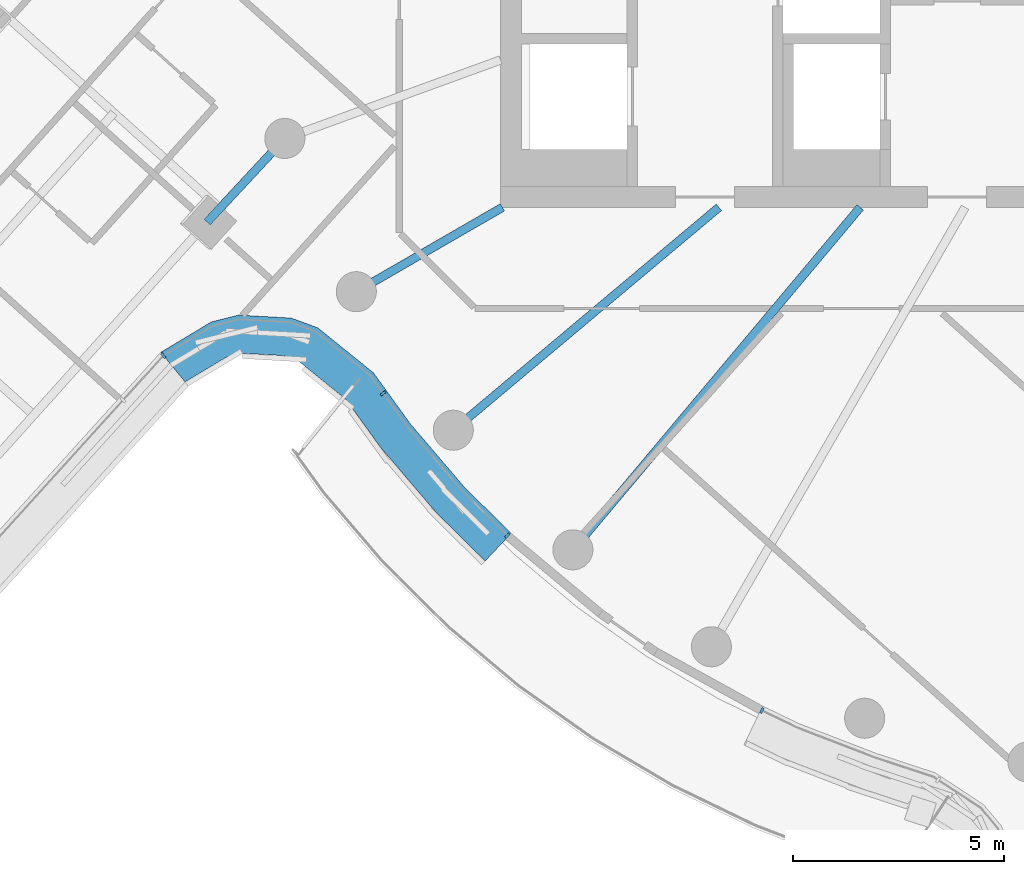
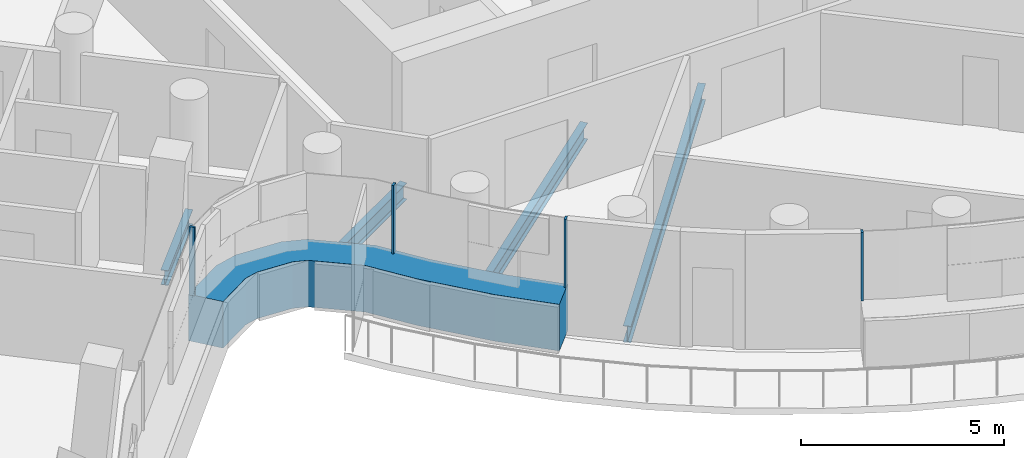
# One storey, part 3 of 31: 5 members, 4 beams, 1 element without a shape of its own.
"""IFC4 building model written with IfcOpenShell, lengths in metres."""

from ifc_helpers import new_model, si_unit, direction, frame, origin, origin_2d, place, context, subcontext, project, spatial, polyline, rectangle, i_section, outline, extrude, material, layer, layer_set, material_profile, profile_set, type_object, element, aggregate, save


model = new_model("IFC4")

# Units and contexts
model_context = context("Model", 3, precision=1e-05, world=origin(), true_north=direction((0.0, 1.0)))
body_context = subcontext(model_context, "Body", "Model", "MODEL_VIEW")
ifc_project = project(units=[si_unit("LENGTHUNIT", "METRE"), si_unit("AREAUNIT", "SQUARE_METRE"), si_unit("VOLUMEUNIT", "CUBIC_METRE"), si_unit("PLANEANGLEUNIT", "RADIAN"), si_unit("MASSUNIT", "GRAM", prefix="KILO")], contexts=[model_context])

# Site, building, storey
site_placement = place(None, origin())
site = spatial("IfcSite", under=ifc_project, at=site_placement, CompositionType="ELEMENT")
building_placement = place(site_placement, origin())
building = spatial("IfcBuilding", under=site, at=building_placement, Name="Tamarind Cross Interchange Tower", CompositionType="ELEMENT")
storey_placement = place(building_placement, frame((0.0, 0.0, 207.699951171875)))
storey = spatial("IfcBuildingStorey", under=building, at=storey_placement, Name="L52", CompositionType="ELEMENT", Elevation=207.699951171875)

# Beams
ifc_material_1 = material(Name="Steel Q355B", Category="steel")
ifc_material_profile_1 = material_profile(ifc_material_1, i_section(OverallWidth=0.198974609375, OverallDepth=0.446044921875, WebThickness=0.008056640625, FlangeThickness=0.011962890625, FilletRadius=0.012939453125, at=origin_2d()), Name="HN 446x199x8x12")
ifc_profile_set_1 = profile_set([ifc_material_profile_1], Name="Steel Q355B")
beam_type_1 = type_object("IfcBeamType", Name="Composite beam HN 446x199x8x12 Q355B", PredefinedType="BEAM", material=ifc_profile_set_1)
beam_1_placement = place(storey_placement, frame((-23.4560546875, -9.849853515625, -0.363037109375), z_axis=(0.680706997579, 0.732555788625, 0.0), x_axis=(-0.732555788625, 0.680706997579, 0.0)))
element("IfcBeam", 1, at=beam_1_placement, inside=storey, type_object=beam_type_1, Name="Beam W-linkep", PredefinedType="BEAM", context=body_context, shape_type="SweptSolid", body=[
    extrude(i_section(OverallWidth=0.198974609375, OverallDepth=0.446044921875, WebThickness=0.008056640625, FlangeThickness=0.011962890625, FilletRadius=0.012939453125, at=origin_2d()), origin(), (0.0, 0.0, 1.0), 2.70751953125),
])
ifc_material_profile_2 = material_profile(ifc_material_1, i_section(OverallWidth=0.198974609375, OverallDepth=0.49609375, WebThickness=0.009033203125, FlangeThickness=0.013916015625, FilletRadius=0.012939453125, at=origin_2d()), Name="HN 496x199x9x14")
ifc_profile_set_2 = profile_set([ifc_material_profile_2], Name="Steel Q355B")
beam_type_2 = type_object("IfcBeamType", Name="Composite beam HN 496x199x9x14 Q355B", PredefinedType="BEAM", material=ifc_profile_set_2)
beam_2_placement = place(storey_placement, frame((-19.918701171875, -11.5, -0.387939453125), z_axis=(0.866026010844, 0.49999894854, 0.0), x_axis=(-0.49999894854, 0.866026010844, 0.0)))
element("IfcBeam", 2, at=beam_2_placement, inside=storey, type_object=beam_type_2, Name="Beam HH21", PredefinedType="BEAM", context=body_context, shape_type="SweptSolid", body=[
    extrude(i_section(OverallWidth=0.198974609375, OverallDepth=0.49609375, WebThickness=0.009033203125, FlangeThickness=0.013916015625, FilletRadius=0.012939453125, at=origin_2d()), origin(), (0.0, 0.0, 1.0), 4.0),
])
beam_3_placement = place(storey_placement, frame((-17.619140625, -14.7841796875, -0.387939453125), z_axis=(0.766040580814, 0.642792212574, 0.0), x_axis=(-0.642792212574, 0.766040580814, 0.0)))
element("IfcBeam", 3, at=beam_3_placement, inside=storey, type_object=beam_type_2, Name="Beam HH22", PredefinedType="BEAM", context=body_context, shape_type="SweptSolid", body=[
    extrude(i_section(OverallWidth=0.198974609375, OverallDepth=0.49609375, WebThickness=0.009033203125, FlangeThickness=0.013916015625, FilletRadius=0.012939453125, at=origin_2d()), origin(), (0.0, 0.0, 1.0), 8.220703125),
])
beam_4_placement = place(storey_placement, frame((-14.7841796875, -17.619140625, -0.387939453125), z_axis=(0.642786293979, 0.766045547127, 0.0), x_axis=(-0.766045547127, 0.642786293979, 0.0)))
element("IfcBeam", 4, at=beam_4_placement, inside=storey, type_object=beam_type_2, Name="Beam HH23", PredefinedType="BEAM", context=body_context, shape_type="SweptSolid", body=[
    extrude(i_section(OverallWidth=0.198974609375, OverallDepth=0.49609375, WebThickness=0.009033203125, FlangeThickness=0.013916015625, FilletRadius=0.012939453125, at=origin_2d()), origin(), (0.0, 0.0, 1.0), 10.598876953125),
])

# Curtain wall, members
ifc_material_2 = material(Name="Aluminium 6063-T6", Category="aluminium")
ifc_layer = layer(ifc_material_2, 0.139892578125)
ifc_layer_set = layer_set([ifc_layer], Name="Aluminium 6063-T6")
curtain_wall_type = type_object("IfcCurtainWallType", Name="Hotel curtain wall, 4.5 m bays", PredefinedType="NOTDEFINED", material=ifc_layer_set)
curtain_wall_placement = place(storey_placement, origin())
curtain_wall = element("IfcCurtainWall", 5, at=curtain_wall_placement, inside=storey, type_object=curtain_wall_type, Name="CWS-L52-02", PredefinedType="NOTDEFINED")
ifc_material_3 = material(Name="Aluminium and insulated spandrel panel", Category="aluminium")
member_type_1 = type_object("IfcMemberType", Name="Floor-edge blade transom", PredefinedType="USERDEFINED", material=ifc_material_3)
member_1_placement = place(storey_placement, origin())
member_1 = element("IfcMember", 6, at=member_1_placement, type_object=member_type_1, Name="CWT-L52-02-0", ObjectType="TRANSOM", PredefinedType="USERDEFINED", context=body_context, shape_type="SweptSolid", body=[
    extrude(outline(polyline([(-24.556396484375, -12.93603515625), (-23.353759765625, -12.214111328125), (-22.70849609375, -12.0546875), (-21.458251953125, -12.124755859375), (-20.830810546875, -12.356689453125), (-19.512451171875, -13.422607421875), (-18.636474609375, -14.63427734375), (-17.3642578125, -16.12353515625), (-16.2470703125, -17.231201171875), (-16.864501953125, -17.88623046875), (-18.0244140625, -16.736572265625), (-19.344482421875, -15.191162109375), (-20.171630859375, -14.047119140625), (-21.28173828125, -13.149658203125), (-21.6435546875, -13.015869140625), (-22.623779296875, -12.9609375), (-23.006591796875, -13.055419921875), (-23.979248046875, -13.63916015625), (-24.556396484375, -12.93603515625)])), origin(), (0.0, 0.0, 1.0), 1.400146484375),
])
ifc_material_profile_3 = material_profile(ifc_material_2, rectangle(XDim=0.06005859375, YDim=0.139892578125, at=origin_2d()), Name="Mullion CW2")
ifc_profile_set_3 = profile_set([ifc_material_profile_3], Name="Aluminium 6063-T6")
member_type_2 = type_object("IfcMemberType", Name="Mullion CW2", PredefinedType="MULLION", material=ifc_profile_set_3)
member_2_placement = place(storey_placement, frame((-24.4921875, -13.01416015625, 1.400146484375), z_axis=(0.0, 0.0, 1.0), x_axis=(0.7729200212, 0.63450346006, 0.0)))
member_2 = element("IfcMember", 7, at=member_2_placement, type_object=member_type_2, Name="CWM-L52-02-00", PredefinedType="MULLION", context=body_context, shape_type="SweptSolid", body=[
    extrude(rectangle(XDim=0.06005859375, YDim=0.139892578125, at=origin_2d()), origin(), (0.0, 0.0, 1.0), 2.059814453125),
])
member_3_placement = place(storey_placement, frame((-19.28369140625, -13.909912109375, 1.400146484375), z_axis=(0.0, 0.0, 1.0), x_axis=(0.585800810365, -0.810455063884, 0.0)))
member_3 = element("IfcMember", 8, at=member_3_placement, type_object=member_type_2, Name="CWM-L52-02-01", PredefinedType="MULLION", context=body_context, shape_type="SweptSolid", body=[
    extrude(rectangle(XDim=0.06005859375, YDim=0.139892578125, at=origin_2d()), origin(), (0.0, 0.0, 1.0), 2.059814453125),
])
member_4_placement = place(storey_placement, frame((-16.336669921875, -17.283203125, 1.400146484375), z_axis=(0.0, 0.0, 1.0), x_axis=(0.710143317658, -0.704057148523, 0.0)))
member_4 = element("IfcMember", 9, at=member_4_placement, type_object=member_type_2, Name="CWM-L52-02-02", PredefinedType="MULLION", context=body_context, shape_type="SweptSolid", body=[
    extrude(rectangle(XDim=0.06005859375, YDim=0.139892578125, at=origin_2d()), origin(), (0.0, 0.0, 1.0), 2.059814453125),
])
member_5_placement = place(storey_placement, frame((-10.30126953125, -21.427978515625, 1.400146484375), z_axis=(0.0, 0.0, 1.0), x_axis=(0.900272776334, -0.435326231914, 0.0)))
member_5 = element("IfcMember", 10, at=member_5_placement, type_object=member_type_2, Name="CWM-L52-02-03", PredefinedType="MULLION", context=body_context, shape_type="SweptSolid", body=[
    extrude(rectangle(XDim=0.06005859375, YDim=0.139892578125, at=origin_2d()), origin(), (0.0, 0.0, 1.0), 2.059814453125),
])
aggregate(curtain_wall, [member_2, member_3, member_4, member_5, member_1])

save(model, "model.ifc")
